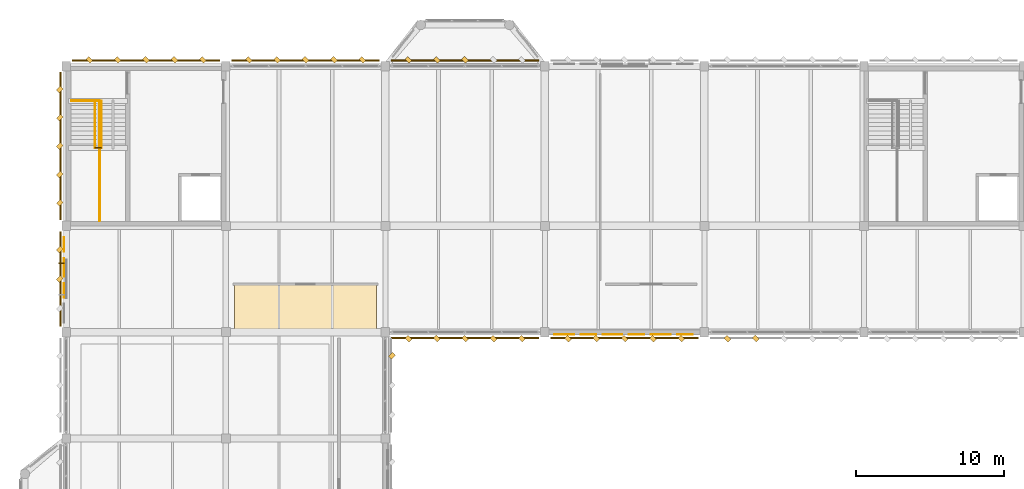
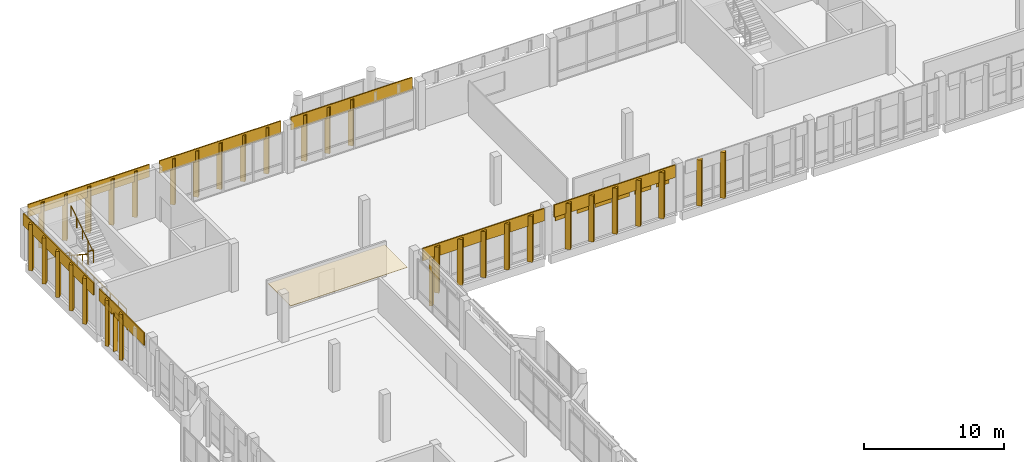
# One storey, part 149 of 158: 51 coverings, 4 railings.
"""IFC4 building model written with IfcOpenShell, lengths in metres."""

from ifc_helpers import new_model, si_unit, direction, frame, origin, origin_2d, place, context, subcontext, project, spatial, polyline, rectangle, circle, outline, extrude, material, layer, layer_set, type_object, element, save


model = new_model("IFC4")

# Units and contexts
model_context = context("Model", 3, precision=1e-05, world=origin(), true_north=direction((0.0, 1.0)))
body_context = subcontext(model_context, "Body", "Model", "MODEL_VIEW")
ifc_project = project(units=[si_unit("LENGTHUNIT", "METRE"), si_unit("AREAUNIT", "SQUARE_METRE"), si_unit("VOLUMEUNIT", "CUBIC_METRE"), si_unit("PLANEANGLEUNIT", "RADIAN"), si_unit("MASSUNIT", "GRAM", prefix="KILO")], contexts=[model_context])

# Site, building, storey
site_placement = place(None, origin())
site = spatial("IfcSite", under=ifc_project, at=site_placement, CompositionType="ELEMENT")
building_placement = place(site_placement, origin())
building = spatial("IfcBuilding", under=site, at=building_placement, Name="Lusvemor Sports Hall", CompositionType="ELEMENT")
storey_placement = place(building_placement, frame((0.0, 0.0, 10.800048828125)))
storey = spatial("IfcBuildingStorey", under=building, at=storey_placement, Name="L02", CompositionType="ELEMENT", Elevation=10.800048828125)

# Coverings
ifc_material_1 = material(Name="Emerald polychrome glazed ceramic cladding on Concrete C40/50 backing", Category="concrete")
ifc_layer_1 = layer(ifc_material_1, 0.0458984375)
ifc_layer_set_1 = layer_set([ifc_layer_1], Name="Emerald polychrome glazed ceramic cladding on Concrete C40/50 backing")
covering_type_1 = type_object("IfcCoveringType", Name="CLAD_WAVE_EMERALD", PredefinedType="CLADDING", material=ifc_layer_set_1)
covering_1_placement = place(storey_placement, frame((-0.16552734375, 101.574951171875, 2.7451171875), z_axis=(0.0, 0.0, 1.0), x_axis=(1.0, 0.0, 0.0)))
element("IfcCovering", 1, at=covering_1_placement, inside=storey, type_object=covering_type_1, Name="Art Nouveau Patterned Cladding PS-EW-L02-W-0-7-3", PredefinedType="CLADDING", context=body_context, shape_type="SweptSolid", body=[
    extrude(rectangle(XDim=0.0458984375, YDim=1.27099609375, at=origin_2d()), origin(), (0.0, 0.0, 1.0), 0.510009765625),
])
for number, where, z_axis, x_axis, name in (
    (2, (33.716796875, 97.034423828125, 2.65478515625), (0.0, 0.0, 1.0), (1.0, 0.0, 0.0), "Art Nouveau Patterned Cladding PS-EW-L02-S-3-1-1"),
    (3, (36.9833984375, 97.034423828125, 2.65478515625), (0.0, 0.0, 1.0), (1.0, 0.0, 0.0), "Art Nouveau Patterned Cladding PS-EW-L02-S-3-1-3"),
    (4, (40.25, 97.034423828125, 2.65478515625), (0.0, 0.0, 1.0), (1.0, 0.0, 0.0), "Art Nouveau Patterned Cladding PS-EW-L02-S-3-1-5"),
):
    element("IfcCovering", number, at=place(storey_placement, frame(where, z_axis=z_axis, x_axis=x_axis)), inside=storey, type_object=covering_type_1, Name=name, PredefinedType="CLADDING", context=body_context, shape_type="SweptSolid", body=[
        extrude(rectangle(XDim=1.33935546875, YDim=0.0458984375, at=origin_2d()), origin(), (0.0, 0.0, 1.0), 0.510009765625),
    ])
for number, where, z_axis, x_axis, name in (
    (5, (3.47998046875, 115.639892578125, 0.099853515625), (0.0, 0.0, 1.0), (0.707106781187, 0.707106781187, 0.0), "Patterned Diamond Cladding Rib 510"),
    (6, (7.320068359375, 115.639892578125, 0.099853515625), (0.0, 0.0, 1.0), (0.707106781187, 0.707106781187, 0.0), "Patterned Diamond Cladding Rib 512"),
    (7, (14.280029296875, 115.639892578125, 0.099853515625), (0.0, 0.0, 1.0), (0.707106781187, 0.707106781187, 0.0), "Patterned Diamond Cladding Rib 540"),
    (8, (18.1201171875, 115.639892578125, 0.099853515625), (0.0, 0.0, 1.0), (0.707106781187, 0.707106781187, 0.0), "Patterned Diamond Cladding Rib 542"),
    (9, (25.080078125, 115.639892578125, 0.099853515625), (0.0, 0.0, 1.0), (0.707106781187, 0.707106781187, 0.0), "Patterned Diamond Cladding Rib 570"),
):
    element("IfcCovering", number, at=place(storey_placement, frame(where, z_axis=z_axis, x_axis=x_axis)), inside=storey, type_object=covering_type_1, Name=name, PredefinedType="CLADDING", context=body_context, shape_type="SweptSolid", body=[
        extrude(rectangle(XDim=0.280029296875, YDim=0.3798828125, at=origin_2d()), origin(), (0.0, 0.0, 1.0), 4.0),
    ])
for number, where, z_axis, x_axis, name in (
    (10, (-0.43994140625, 100.800048828125, 0.099853515625), (0.0, 0.0, 1.0), (0.707106781187, 0.707106781187, 0.0), "Patterned Diamond Cladding Rib 1110"),
    (11, (-0.43994140625, 107.8798828125, 0.099853515625), (0.0, 0.0, 1.0), (0.707106781187, 0.707106781187, 0.0), "Patterned Diamond Cladding Rib 1134"),
    (12, (-0.43994140625, 111.719970703125, 0.099853515625), (0.0, 0.0, 1.0), (0.707106781187, 0.707106781187, 0.0), "Patterned Diamond Cladding Rib 1136"),
):
    element("IfcCovering", number, at=place(storey_placement, frame(where, z_axis=z_axis, x_axis=x_axis)), inside=storey, type_object=covering_type_1, Name=name, PredefinedType="CLADDING", context=body_context, shape_type="SweptSolid", body=[
        extrude(rectangle(XDim=0.3798828125, YDim=0.280029296875, at=origin_2d()), origin(), (0.0, 0.0, 1.0), 4.0),
    ])
for number, where, z_axis, x_axis, name in (
    (13, (25.080078125, 96.760009765625, 0.099853515625), (0.0, 0.0, 1.0), (0.707106781187, 0.707106781187, 0.0), "Patterned Diamond Cladding Rib 1176"),
    (14, (28.919921875, 96.760009765625, 0.099853515625), (0.0, 0.0, 1.0), (0.707106781187, 0.707106781187, 0.0), "Patterned Diamond Cladding Rib 1178"),
    (15, (35.8798828125, 96.760009765625, 0.099853515625), (0.0, 0.0, 1.0), (0.707106781187, 0.707106781187, 0.0), "Patterned Diamond Cladding Rib 1200"),
    (16, (39.719970703125, 96.760009765625, 0.099853515625), (0.0, 0.0, 1.0), (0.707106781187, 0.707106781187, 0.0), "Patterned Diamond Cladding Rib 1202"),
    (17, (46.679931640625, 96.760009765625, 0.099853515625), (0.0, 0.0, 1.0), (0.707106781187, 0.707106781187, 0.0), "Patterned Diamond Cladding Rib 1224"),
):
    element("IfcCovering", number, at=place(storey_placement, frame(where, z_axis=z_axis, x_axis=x_axis)), inside=storey, type_object=covering_type_1, Name=name, PredefinedType="CLADDING", context=body_context, shape_type="SweptSolid", body=[
        extrude(rectangle(XDim=0.280029296875, YDim=0.3798828125, at=origin_2d()), origin(), (0.0, 0.0, 1.0), 4.0),
    ])
ifc_material_2 = material(Name="Warm terracotta Art Nouveau ceramic cladding on Concrete C40/50 backing", Category="masonry")
ifc_layer_2 = layer(ifc_material_2, 0.0380859375)
ifc_layer_set_2 = layer_set([ifc_layer_2], Name="Warm terracotta Art Nouveau ceramic cladding on Concrete C40/50 backing")
covering_type_2 = type_object("IfcCoveringType", Name="CLAD_WAVE_OCHRE", PredefinedType="CLADDING", material=ifc_layer_set_2)
for number, where, z_axis, x_axis, name in (
    (18, (-0.16162109375, 100.02490234375, 2.7451171875), (0.0, 0.0, 1.0), (1.0, 0.0, 0.0), "Art Nouveau Patterned Cladding PS-EW-L02-W-0-7-2"),
    (19, (-0.16162109375, 103.125, 2.7451171875), (0.0, 0.0, 1.0), (1.0, 0.0, 0.0), "Art Nouveau Patterned Cladding PS-EW-L02-W-0-7-4"),
):
    element("IfcCovering", number, at=place(storey_placement, frame(where, z_axis=z_axis, x_axis=x_axis)), inside=storey, type_object=covering_type_2, Name=name, PredefinedType="CLADDING", context=body_context, shape_type="SweptSolid", body=[
        extrude(rectangle(XDim=0.0380859375, YDim=0.991943359375, at=origin_2d()), origin(), (0.0, 0.0, 1.0), 0.510009765625),
    ])
for number, where, z_axis, x_axis, name in (
    (20, (35.35009765625, 97.03857421875, 2.65478515625), (0.0, 0.0, 1.0), (1.0, 0.0, 0.0), "Art Nouveau Patterned Cladding PS-EW-L02-S-3-1-2"),
    (21, (38.61669921875, 97.03857421875, 2.65478515625), (0.0, 0.0, 1.0), (1.0, 0.0, 0.0), "Art Nouveau Patterned Cladding PS-EW-L02-S-3-1-4"),
    (22, (41.88330078125, 97.03857421875, 2.65478515625), (0.0, 0.0, 1.0), (1.0, 0.0, 0.0), "Art Nouveau Patterned Cladding PS-EW-L02-S-3-1-6"),
):
    element("IfcCovering", number, at=place(storey_placement, frame(where, z_axis=z_axis, x_axis=x_axis)), inside=storey, type_object=covering_type_2, Name=name, PredefinedType="CLADDING", context=body_context, shape_type="SweptSolid", body=[
        extrude(rectangle(XDim=1.04541015625, YDim=0.0380859375, at=origin_2d()), origin(), (0.0, 0.0, 1.0), 0.510009765625),
    ])
for number, where, z_axis, x_axis, name in (
    (23, (5.39990234375, 115.590087890625, 3.179931640625), (0.0, 0.0, 1.0), (1.0, 0.0, 0.0), "Art Nouveau Spandrel Cornice 508"),
    (24, (16.199951171875, 115.590087890625, 3.179931640625), (0.0, 0.0, 1.0), (1.0, 0.0, 0.0), "Art Nouveau Spandrel Cornice 538"),
    (25, (27.0, 115.590087890625, 3.179931640625), (0.0, 0.0, 1.0), (1.0, 0.0, 0.0), "Art Nouveau Spandrel Cornice 568"),
):
    element("IfcCovering", number, at=place(storey_placement, frame(where, z_axis=z_axis, x_axis=x_axis)), inside=storey, type_object=covering_type_2, Name=name, PredefinedType="CLADDING", context=body_context, shape_type="SweptSolid", body=[
        extrude(rectangle(XDim=9.97998046875, YDim=0.090087890625, at=origin_2d()), origin(), (0.0, 0.0, 1.0), 1.080078125),
    ])
covering_2_placement = place(storey_placement, frame((-0.389892578125, 100.800048828125, 3.179931640625), z_axis=(0.0, 0.0, 1.0), x_axis=(1.0, 0.0, 0.0)))
element("IfcCovering", 26, at=covering_2_placement, inside=storey, type_object=covering_type_2, Name="Art Nouveau Spandrel Cornice 1108", PredefinedType="CLADDING", context=body_context, shape_type="SweptSolid", body=[
    extrude(rectangle(XDim=0.090087890625, YDim=6.3798828125, at=origin_2d()), origin(), (0.0, 0.0, 1.0), 1.080078125),
])
covering_3_placement = place(storey_placement, frame((-0.389892578125, 109.800048828125, 3.179931640625), z_axis=(0.0, 0.0, 1.0), x_axis=(1.0, 0.0, 0.0)))
element("IfcCovering", 27, at=covering_3_placement, inside=storey, type_object=covering_type_2, Name="Art Nouveau Spandrel Cornice 1132", PredefinedType="CLADDING", context=body_context, shape_type="SweptSolid", body=[
    extrude(rectangle(XDim=0.090087890625, YDim=9.97998046875, at=origin_2d()), origin(), (0.0, 0.0, 1.0), 1.080078125),
])
for number, where, z_axis, x_axis, name in (
    (28, (27.0, 96.81005859375, 3.179931640625), (0.0, 0.0, 1.0), (1.0, 0.0, 0.0), "Art Nouveau Spandrel Cornice 1174"),
    (29, (37.800048828125, 96.81005859375, 3.179931640625), (0.0, 0.0, 1.0), (1.0, 0.0, 0.0), "Art Nouveau Spandrel Cornice 1198"),
):
    element("IfcCovering", number, at=place(storey_placement, frame(where, z_axis=z_axis, x_axis=x_axis)), inside=storey, type_object=covering_type_2, Name=name, PredefinedType="CLADDING", context=body_context, shape_type="SweptSolid", body=[
        extrude(rectangle(XDim=9.97998046875, YDim=0.090087890625, at=origin_2d()), origin(), (0.0, 0.0, 1.0), 1.080078125),
    ])
ifc_material_3 = material(Name="Perforated mineral-fibre acoustic suspended ceiling")
ifc_layer_3 = layer(ifc_material_3, 0.033935546875)
ifc_layer_set_3 = layer_set([ifc_layer_3], Name="Perforated mineral-fibre acoustic suspended ceiling")
covering_type_3 = type_object("IfcCoveringType", Name="COV_CEIL_ACOUST", PredefinedType="CEILING", material=ifc_layer_set_3)
covering_4_placement = place(storey_placement, frame((0.0, 0.0, 2.699951171875)))
element("IfcCovering", 30, at=covering_4_placement, inside=storey, type_object=covering_type_3, Name="Acoustic Ceiling 3", PredefinedType="CEILING", context=body_context, shape_type="SweptSolid", body=[
    extrude(outline(polyline([(11.39990234375, 97.199951171875), (21.0, 97.199951171875), (21.0, 100.449951171875), (11.39990234375, 100.449951171875), (11.39990234375, 97.199951171875)])), origin(), (0.0, 0.0, 1.0), 0.033935546875),
])
ifc_material_4 = material(Name="Emerald polychrome glazed ceramic cladding on Concrete C40/50 backing", Category="concrete")
ifc_layer_4 = layer(ifc_material_4, 0.35009765625)
ifc_layer_set_4 = layer_set([ifc_layer_4], Name="Emerald polychrome glazed ceramic cladding on Concrete C40/50 backing")
covering_type_4 = type_object("IfcCoveringType", Name="FIN_BRISE_CER_350", PredefinedType="MOLDING", material=ifc_layer_set_4)
covering_5_placement = place(storey_placement, frame((-0.327392578125, 101.860107421875, 0.10009765625), z_axis=(0.0, 0.0, 1.0), x_axis=(1.0, 0.0, 0.0)))
element("IfcCovering", 31, at=covering_5_placement, inside=storey, type_object=covering_type_4, Name="Wing Brise-Soleil Fin L02-W-0-7-2", PredefinedType="MOLDING", context=body_context, shape_type="SweptSolid", body=[
    extrude(rectangle(XDim=0.35009765625, YDim=0.080078125, at=origin_2d()), origin(), (0.0, 0.0, 1.0), 3.320068359375),
])
ifc_material_5 = material(Name="Warm terracotta Art Nouveau ceramic cladding on Concrete C40/50 backing", Category="masonry")
ifc_layer_5 = layer(ifc_material_5, 0.449951171875)
ifc_layer_set_5 = layer_set([ifc_layer_5], Name="Warm terracotta Art Nouveau ceramic cladding on Concrete C40/50 backing")
covering_type_5 = type_object("IfcCoveringType", Name="FIN_BRISE_CER_450", PredefinedType="MOLDING", material=ifc_layer_set_5)
for number, where, z_axis, x_axis, name in (
    (32, (1.56005859375, 115.639892578125, 0.099853515625), (0.0, 0.0, 1.0), (0.707106781187, 0.707106781187, 0.0), "Patterned Diamond Cladding Rib 509"),
    (33, (5.39990234375, 115.639892578125, 0.099853515625), (0.0, 0.0, 1.0), (0.707106781187, 0.707106781187, 0.0), "Patterned Diamond Cladding Rib 511"),
    (34, (9.239990234375, 115.639892578125, 0.099853515625), (0.0, 0.0, 1.0), (0.707106781187, 0.707106781187, 0.0), "Patterned Diamond Cladding Rib 513"),
    (35, (12.360107421875, 115.639892578125, 0.099853515625), (0.0, 0.0, 1.0), (0.707106781187, 0.707106781187, 0.0), "Patterned Diamond Cladding Rib 539"),
    (36, (16.199951171875, 115.639892578125, 0.099853515625), (0.0, 0.0, 1.0), (0.707106781187, 0.707106781187, 0.0), "Patterned Diamond Cladding Rib 541"),
    (37, (20.0400390625, 115.639892578125, 0.099853515625), (0.0, 0.0, 1.0), (0.707106781187, 0.707106781187, 0.0), "Patterned Diamond Cladding Rib 543"),
    (38, (23.159912109375, 115.639892578125, 0.099853515625), (0.0, 0.0, 1.0), (0.707106781187, 0.707106781187, 0.0), "Patterned Diamond Cladding Rib 569"),
    (39, (27.0, 115.639892578125, 0.099853515625), (0.0, 0.0, 1.0), (0.707106781187, 0.707106781187, 0.0), "Patterned Diamond Cladding Rib 571"),
):
    element("IfcCovering", number, at=place(storey_placement, frame(where, z_axis=z_axis, x_axis=x_axis)), inside=storey, type_object=covering_type_5, Name=name, PredefinedType="MOLDING", context=body_context, shape_type="SweptSolid", body=[
        extrude(rectangle(XDim=0.280029296875, YDim=0.3798828125, at=origin_2d()), origin(), (0.0, 0.0, 1.0), 4.0),
    ])
for number, where, z_axis, x_axis, name in (
    (40, (-0.43994140625, 102.800048828125, 0.099853515625), (0.0, 0.0, 1.0), (0.707106781187, 0.707106781187, 0.0), "Patterned Diamond Cladding Rib 1111"),
    (41, (-0.43994140625, 105.9599609375, 0.099853515625), (0.0, 0.0, 1.0), (0.707106781187, 0.707106781187, 0.0), "Patterned Diamond Cladding Rib 1133"),
    (42, (-0.43994140625, 109.800048828125, 0.099853515625), (0.0, 0.0, 1.0), (0.707106781187, 0.707106781187, 0.0), "Patterned Diamond Cladding Rib 1135"),
    (43, (-0.43994140625, 113.639892578125, 0.099853515625), (0.0, 0.0, 1.0), (0.707106781187, 0.707106781187, 0.0), "Patterned Diamond Cladding Rib 1137"),
):
    element("IfcCovering", number, at=place(storey_placement, frame(where, z_axis=z_axis, x_axis=x_axis)), inside=storey, type_object=covering_type_5, Name=name, PredefinedType="MOLDING", context=body_context, shape_type="SweptSolid", body=[
        extrude(rectangle(XDim=0.3798828125, YDim=0.280029296875, at=origin_2d()), origin(), (0.0, 0.0, 1.0), 4.0),
    ])
for number, where, z_axis, x_axis, name in (
    (44, (23.159912109375, 96.760009765625, 0.099853515625), (0.0, 0.0, 1.0), (0.707106781187, 0.707106781187, 0.0), "Patterned Diamond Cladding Rib 1175"),
    (45, (27.0, 96.760009765625, 0.099853515625), (0.0, 0.0, 1.0), (0.707106781187, 0.707106781187, 0.0), "Patterned Diamond Cladding Rib 1177"),
    (46, (30.840087890625, 96.760009765625, 0.099853515625), (0.0, 0.0, 1.0), (0.707106781187, 0.707106781187, 0.0), "Patterned Diamond Cladding Rib 1179"),
    (47, (33.9599609375, 96.760009765625, 0.099853515625), (0.0, 0.0, 1.0), (0.707106781187, 0.707106781187, 0.0), "Patterned Diamond Cladding Rib 1199"),
    (48, (37.800048828125, 96.760009765625, 0.099853515625), (0.0, 0.0, 1.0), (0.707106781187, 0.707106781187, 0.0), "Patterned Diamond Cladding Rib 1201"),
    (49, (41.639892578125, 96.760009765625, 0.099853515625), (0.0, 0.0, 1.0), (0.707106781187, 0.707106781187, 0.0), "Patterned Diamond Cladding Rib 1203"),
    (50, (44.760009765625, 96.760009765625, 0.099853515625), (0.0, 0.0, 1.0), (0.707106781187, 0.707106781187, 0.0), "Patterned Diamond Cladding Rib 1223"),
):
    element("IfcCovering", number, at=place(storey_placement, frame(where, z_axis=z_axis, x_axis=x_axis)), inside=storey, type_object=covering_type_5, Name=name, PredefinedType="MOLDING", context=body_context, shape_type="SweptSolid", body=[
        extrude(rectangle(XDim=0.280029296875, YDim=0.3798828125, at=origin_2d()), origin(), (0.0, 0.0, 1.0), 4.0),
    ])
covering_6_placement = place(storey_placement, frame((22.0400390625, 95.60009765625, 0.099853515625), z_axis=(0.0, 0.0, 1.0), x_axis=(0.707106781187, 0.707106781187, 0.0)))
element("IfcCovering", 51, at=covering_6_placement, inside=storey, type_object=covering_type_5, Name="Patterned Diamond Cladding Rib 1470", PredefinedType="MOLDING", context=body_context, shape_type="SweptSolid", body=[
    extrude(rectangle(XDim=0.3798828125, YDim=0.280029296875, at=origin_2d()), origin(), (0.0, 0.0, 1.0), 4.0),
])

# Railings
ifc_material_6 = material(Name="Bronze-finished wrought-steel Art Nouveau balustrade", Category="steel")
railing_type_1 = type_object("IfcRailingType", Name="RAIL_HANDRAIL_092", PredefinedType="HANDRAIL", material=ifc_material_6)
railing_1_placement = place(storey_placement, frame((1.93994140625, 112.85009765625, 0.0)))
element("IfcRailing", 52, at=railing_1_placement, inside=storey, type_object=railing_type_1, Name="Stair STR-C1-L02 Handrail F1", PredefinedType="HANDRAIL", context=body_context, shape_type="SweptSolid", body=[
    extrude(circle(Radius=0.02392578125, at=origin_2d()), frame((0.0, 0.0, 0.89599609375), z_axis=(0.0, -0.835291159344, 0.549807856548), x_axis=(1.0, 0.0, 0.0)), (0.0, 0.0, 1.0), 3.8193359375),
    extrude(circle(Radius=0.02099609375, at=origin_2d()), origin(), (0.0, 0.0, 1.0), 0.871826171875),
    extrude(circle(Radius=0.02099609375, at=origin_2d()), frame((0.0, -0.797607421875, 0.52490234375)), (0.0, 0.0, 1.0), 0.871826171875),
    extrude(circle(Radius=0.02099609375, at=origin_2d()), frame((0.0, -1.59521484375, 1.0498046875)), (0.0, 0.0, 1.0), 0.871826171875),
    extrude(circle(Radius=0.02099609375, at=origin_2d()), frame((0.0, -2.392578125, 1.574951171875)), (0.0, 0.0, 1.0), 0.871826171875),
    extrude(circle(Radius=0.02099609375, at=origin_2d()), frame((0.0, -3.190185546875, 2.099853515625)), (0.0, 0.0, 1.0), 0.871826171875),
])
railing_2_placement = place(storey_placement, frame((2.3798828125, 109.659912109375, 2.099853515625)))
element("IfcRailing", 53, at=railing_2_placement, inside=storey, type_object=railing_type_1, Name="Stair STR-C1-L02 Handrail F2", PredefinedType="HANDRAIL", context=body_context, shape_type="SweptSolid", body=[
    extrude(circle(Radius=0.02392578125, at=origin_2d()), frame((0.0, 0.0, 0.89599609375), z_axis=(0.0, 0.835261802243, 0.549852454495), x_axis=(-1.0, 0.0, 0.0)), (0.0, 0.0, 1.0), 3.8193359375),
    extrude(circle(Radius=0.02099609375, at=origin_2d()), origin(), (0.0, 0.0, 1.0), 0.871826171875),
    extrude(circle(Radius=0.02099609375, at=origin_2d()), frame((0.0, 0.797607421875, 0.52490234375)), (0.0, 0.0, 1.0), 0.871826171875),
    extrude(circle(Radius=0.02099609375, at=origin_2d()), frame((0.0, 1.59521484375, 1.050048828125)), (0.0, 0.0, 1.0), 0.871826171875),
    extrude(circle(Radius=0.02099609375, at=origin_2d()), frame((0.0, 2.392578125, 1.5751953125)), (0.0, 0.0, 1.0), 0.871826171875),
    extrude(circle(Radius=0.02099609375, at=origin_2d()), frame((0.0, 3.190185546875, 2.10009765625)), (0.0, 0.0, 1.0), 0.871826171875),
])
ifc_material_7 = material(Name="Bronze-finished wrought-steel Art Nouveau balustrade", Category="steel")
railing_type_2 = type_object("IfcRailingType", Name="RAIL_STAIR_GUARD_112", PredefinedType="GUARDRAIL", material=ifc_material_7)
railing_3_placement = place(storey_placement, frame((0.340087890625, 112.8701171875, 0.0)))
element("IfcRailing", 54, at=railing_3_placement, inside=storey, type_object=railing_type_2, Name="Stairwell C1 Top Guard (L02)", PredefinedType="GUARDRAIL", context=body_context, shape_type="SweptSolid", body=[
    extrude(circle(Radius=0.02392578125, at=origin_2d()), frame((0.0, 0.0, 1.09619140625), z_axis=(1.0, 0.0, 0.0), x_axis=(0.0, 1.0, 0.0)), (0.0, 0.0, 1.0), 1.919921875),
    extrude(circle(Radius=0.02392578125, at=origin_2d()), frame((1.919921875, 0.0, 1.09619140625), z_axis=(0.0, -1.0, 0.0), x_axis=(1.0, 0.0, 0.0)), (0.0, 0.0, 1.0), 8.130126953125),
    extrude(circle(Radius=0.02099609375, at=origin_2d()), origin(), (0.0, 0.0, 1.0), 1.072021484375),
    extrude(circle(Radius=0.02099609375, at=origin_2d()), frame((0.9599609375, 0.0, 0.0)), (0.0, 0.0, 1.0), 1.072021484375),
    extrude(circle(Radius=0.02099609375, at=origin_2d()), frame((1.919921875, 0.0, 0.0)), (0.0, 0.0, 1.0), 1.072021484375),
    extrude(circle(Radius=0.02099609375, at=origin_2d()), frame((1.919921875, -1.161376953125, 0.0)), (0.0, 0.0, 1.0), 1.072021484375),
    extrude(circle(Radius=0.02099609375, at=origin_2d()), frame((1.919921875, -2.322998046875, 0.0)), (0.0, 0.0, 1.0), 1.072021484375),
    extrude(circle(Radius=0.02099609375, at=origin_2d()), frame((1.919921875, -3.484375, 0.0)), (0.0, 0.0, 1.0), 1.072021484375),
    extrude(circle(Radius=0.02099609375, at=origin_2d()), frame((1.919921875, -4.645751953125, 0.0)), (0.0, 0.0, 1.0), 1.072021484375),
    extrude(circle(Radius=0.02099609375, at=origin_2d()), frame((1.919921875, -5.80712890625, 0.0)), (0.0, 0.0, 1.0), 1.072021484375),
    extrude(circle(Radius=0.02099609375, at=origin_2d()), frame((1.919921875, -6.96875, 0.0)), (0.0, 0.0, 1.0), 1.072021484375),
    extrude(circle(Radius=0.02099609375, at=origin_2d()), frame((1.919921875, -8.130126953125, 0.0)), (0.0, 0.0, 1.0), 1.072021484375),
])
railing_4_placement = place(storey_placement, frame((1.93994140625, 109.679931640625, 2.099853515625)))
element("IfcRailing", 55, at=railing_4_placement, inside=storey, type_object=railing_type_2, Name="Stair STR-C1-L02 Mid Well Guard", PredefinedType="GUARDRAIL", context=body_context, shape_type="SweptSolid", body=[
    extrude(circle(Radius=0.02392578125, at=origin_2d()), frame((0.0, 0.0, 1.09619140625), z_axis=(1.0, 0.0, 0.0), x_axis=(0.0, 1.0, 0.0)), (0.0, 0.0, 1.0), 0.43994140625),
    extrude(circle(Radius=0.02099609375, at=origin_2d()), origin(), (0.0, 0.0, 1.0), 1.072021484375),
    extrude(circle(Radius=0.02099609375, at=origin_2d()), frame((0.43994140625, 0.0, 0.0)), (0.0, 0.0, 1.0), 1.072021484375),
])

save(model, "model.ifc")
